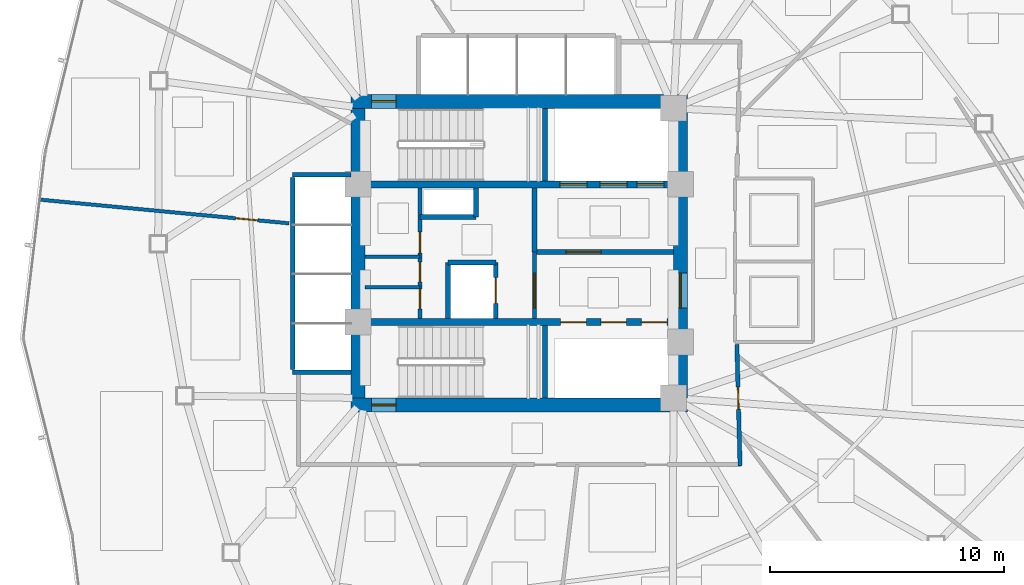
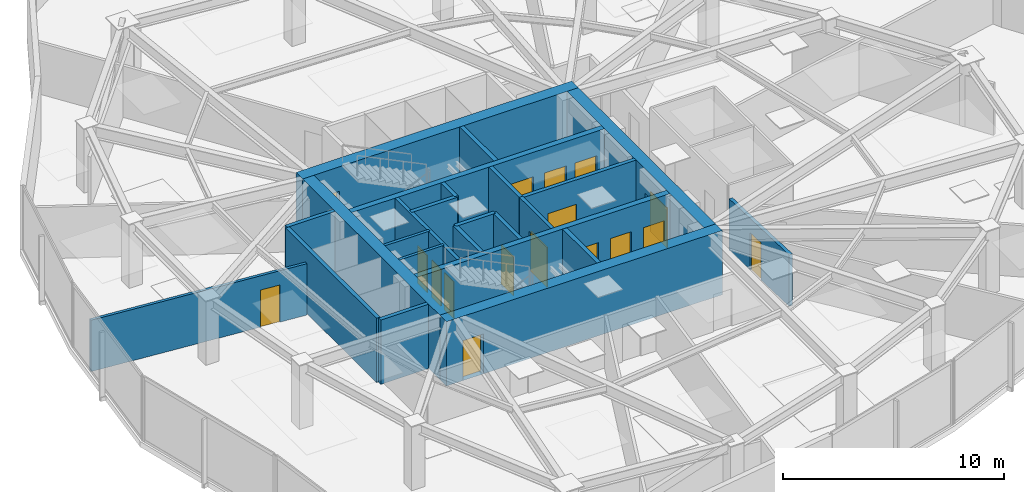
# One storey, part 11 of 17: 24 walls, 17 doors, 17 openings.
"""IFC4 building model written with IfcOpenShell, lengths in metres."""

from ifc_helpers import new_model, si_unit, direction, frame, frame_2d, origin, place, context, subcontext, project, spatial, rectangle, extrude, material, layer, layer_set, type_object, element, fill, save


model = new_model("IFC4")

# Units and contexts
model_context = context("Model", 3, precision=1e-05, world=origin(), true_north=direction((0.0, 1.0)))
body_context = subcontext(model_context, "Body", "Model", "MODEL_VIEW")
ifc_project = project(units=[si_unit("LENGTHUNIT", "METRE"), si_unit("AREAUNIT", "SQUARE_METRE"), si_unit("VOLUMEUNIT", "CUBIC_METRE"), si_unit("PLANEANGLEUNIT", "RADIAN"), si_unit("MASSUNIT", "GRAM", prefix="KILO")], contexts=[model_context])

# Site, building, storey
site_placement = place(None, origin())
site = spatial("IfcSite", under=ifc_project, at=site_placement, CompositionType="ELEMENT")
building_placement = place(site_placement, origin())
building = spatial("IfcBuilding", under=site, at=building_placement, Name="Tavelor Broadcast Tower", CompositionType="ELEMENT")
storey_placement = place(building_placement, frame((0.0, 0.0, 115.60009765625)))
storey = spatial("IfcBuildingStorey", under=building, at=storey_placement, Name="L26", CompositionType="ELEMENT", Elevation=115.60009765625)

# Wall, opening, door
ifc_material_1 = material(Name="Concrete C60/75", Category="concrete")
ifc_layer_1 = layer(ifc_material_1, 0.60009765625)
ifc_layer_set_1 = layer_set([ifc_layer_1], Name="Concrete C60/75")
wall_type_1 = type_object("IfcWallType", Name="Core Shear Wall 600 mm", PredefinedType="SHEAR", material=ifc_layer_set_1)
wall_1_placement = place(storey_placement, frame((42.800048828125, 51.5, 0.0), z_axis=(0.0, 0.0, 1.0), x_axis=(1.0, 0.0, 0.0)))
wall_1 = element("IfcWall", 1, at=wall_1_placement, inside=storey, type_object=wall_type_1, Name="L26 Central Core Shear Wall N", PredefinedType="SHEAR", context=body_context, shape_type="SweptSolid", body=[
    extrude(rectangle(XDim=14.39990234375, YDim=0.60009765625, at=frame_2d((7.199951171875, 0.0))), origin(), (0.0, 0.0, 1.0), 3.5498046875),
])
opening_1_placement = place(wall_1_placement, frame((0.8798828125, 0.0, 0.0)))
opening_1 = element("IfcOpeningElement", 2, at=opening_1_placement, cuts=wall_1, Name="Opening DR11", PredefinedType="OPENING", context=body_context, shape_type="SweptSolid", body=[
    extrude(rectangle(XDim=1.050048828125, YDim=2.199951171875, at=frame_2d((0.52490234375, 1.10009765625))), frame((0.0, 0.31005859375, 0.0), z_axis=(0.0, -1.0, 0.0), x_axis=(1.0, 0.0, 0.0)), (0.0, 0.0, 1.0), 0.6201171875),
])
ifc_material_2 = material(Name="Steel S355", Category="steel")
door_type_1 = type_object("IfcDoorType", Name="Stair Core Fire Escape Door 1050x2200", OperationType="NOTDEFINED", PredefinedType="DOOR", material=ifc_material_2)
door_1_placement = place(opening_1_placement, origin())
door_1 = element("IfcDoor", 3, at=door_1_placement, inside=storey, type_object=door_type_1, Name="L26 Stair ST1 Protected Exit Door", OperationType="SINGLE_SWING_LEFT", OverallHeight=2.199951171875, OverallWidth=1.050048828125, PredefinedType="DOOR", context=body_context, shape_type="SweptSolid", body=[
    extrude(rectangle(XDim=1.050048828125, YDim=2.199951171875, at=frame_2d((0.52490234375, 1.10009765625))), frame((0.0, 0.02490234375, 0.0), z_axis=(0.0, -1.0, 0.0), x_axis=(1.0, 0.0, 0.0)), (0.0, 0.0, 1.0), 0.050048828125),
])
fill(opening_1, door_1)

wall_2_placement = place(storey_placement, frame((42.800048828125, 38.5, 0.0), z_axis=(0.0, 0.0, 1.0), x_axis=(1.0, 0.0, 0.0)))
wall_2 = element("IfcWall", 4, at=wall_2_placement, inside=storey, type_object=wall_type_1, Name="L26 Central Core Shear Wall S", PredefinedType="SHEAR", context=body_context, shape_type="SweptSolid", body=[
    extrude(rectangle(XDim=14.39990234375, YDim=0.60009765625, at=frame_2d((7.199951171875, 0.0))), origin(), (0.0, 0.0, 1.0), 3.5498046875),
])
opening_2_placement = place(wall_2_placement, frame((0.8798828125, 0.0, 0.0)))
opening_2 = element("IfcOpeningElement", 5, at=opening_2_placement, cuts=wall_2, Name="Opening DR11", PredefinedType="OPENING", context=body_context, shape_type="SweptSolid", body=[
    extrude(rectangle(XDim=1.050048828125, YDim=2.199951171875, at=frame_2d((0.52490234375, 1.10009765625))), frame((0.0, 0.31005859375, 0.0), z_axis=(0.0, -1.0, 0.0), x_axis=(1.0, 0.0, 0.0)), (0.0, 0.0, 1.0), 0.6201171875),
])
door_2_placement = place(opening_2_placement, origin())
door_2 = element("IfcDoor", 6, at=door_2_placement, inside=storey, type_object=door_type_1, Name="L26 Stair ST2 Protected Exit Door", OperationType="SINGLE_SWING_RIGHT", OverallHeight=2.199951171875, OverallWidth=1.050048828125, PredefinedType="DOOR", context=body_context, shape_type="SweptSolid", body=[
    extrude(rectangle(XDim=1.050048828125, YDim=2.199951171875, at=frame_2d((0.52490234375, 1.10009765625))), frame((0.0, 0.02490234375, 0.0), z_axis=(0.0, -1.0, 0.0), x_axis=(1.0, 0.0, 0.0)), (0.0, 0.0, 1.0), 0.050048828125),
])
fill(opening_2, door_2)

# Wall
wall_3_placement = place(storey_placement, frame((43.10009765625, 38.800048828125, 0.0), z_axis=(0.0, 0.0, 1.0), x_axis=(0.0, 1.0, 0.0)))
element("IfcWall", 7, at=wall_3_placement, inside=storey, type_object=wall_type_1, Name="L26 Central Core Shear Wall W", PredefinedType="SHEAR", context=body_context, shape_type="SweptSolid", body=[
    extrude(rectangle(XDim=12.39990234375, YDim=0.60009765625, at=frame_2d((6.199951171875, 0.0))), origin(), (0.0, 0.0, 1.0), 3.5498046875),
])

# Wall, opening, door
wall_4_placement = place(storey_placement, frame((56.89990234375, 38.800048828125, 0.0), z_axis=(0.0, 0.0, 1.0), x_axis=(0.0, 1.0, 0.0)))
wall_4 = element("IfcWall", 8, at=wall_4_placement, inside=storey, type_object=wall_type_1, Name="L26 Central Core Shear Wall E", PredefinedType="SHEAR", context=body_context, shape_type="SweptSolid", body=[
    extrude(rectangle(XDim=12.39990234375, YDim=0.60009765625, at=frame_2d((6.199951171875, 0.0))), origin(), (0.0, 0.0, 1.0), 3.5498046875),
])
opening_3_placement = place(wall_4_placement, frame((3.85009765625, 0.0, 0.0)))
opening_3 = element("IfcOpeningElement", 9, at=opening_3_placement, cuts=wall_4, Name="Opening DR14", PredefinedType="OPENING", context=body_context, shape_type="SweptSolid", body=[
    extrude(rectangle(XDim=1.5, YDim=2.199951171875, at=frame_2d((0.75, 1.10009765625))), frame((0.0, 0.31005859375, 0.0), z_axis=(0.0, -1.0, 0.0), x_axis=(1.0, 0.0, 0.0)), (0.0, 0.0, 1.0), 0.6201171875),
])
door_type_2 = type_object("IfcDoorType", Name="Firefighting Lobby Double Fire Door 1500x2200", OperationType="NOTDEFINED", PredefinedType="DOOR", material=ifc_material_2)
door_3_placement = place(opening_3_placement, origin())
door_3 = element("IfcDoor", 10, at=door_3_placement, inside=storey, type_object=door_type_2, Name="L26 Central Core Lobby Fire Door", OperationType="SINGLE_SWING_RIGHT", OverallHeight=2.199951171875, OverallWidth=1.5, PredefinedType="DOOR", context=body_context, shape_type="SweptSolid", body=[
    extrude(rectangle(XDim=1.5, YDim=2.199951171875, at=frame_2d((0.75, 1.10009765625))), frame((0.0, 0.02490234375, 0.0), z_axis=(0.0, -1.0, 0.0), x_axis=(1.0, 0.0, 0.0)), (0.0, 0.0, 1.0), 0.050048828125),
])
fill(opening_3, door_3)

# Wall, openings, doors
ifc_layer_2 = layer(ifc_material_1, 0.300048828125)
ifc_layer_set_2 = layer_set([ifc_layer_2], Name="Concrete C60/75")
wall_type_2 = type_object("IfcWallType", Name="Core Spine Shear Wall 300 mm C60", PredefinedType="SHEAR", material=ifc_layer_set_2)
wall_5_placement = place(storey_placement, frame((43.39990234375, 47.949951171875, 0.0), z_axis=(0.0, 0.0, 1.0), x_axis=(1.0, 0.0, 0.0)))
wall_5 = element("IfcWall", 11, at=wall_5_placement, inside=storey, type_object=wall_type_2, Name="L26 Central Core Shear Wall SP1", PredefinedType="SHEAR", context=body_context, shape_type="SweptSolid", body=[
    extrude(rectangle(XDim=13.2001953125, YDim=0.300048828125, at=frame_2d((6.60009765625, 0.0))), origin(), (0.0, 0.0, 1.0), 3.5498046875),
])
opening_4_placement = place(wall_5_placement, frame((8.344970703125, 0.0, 0.0)))
opening_4 = element("IfcOpeningElement", 12, at=opening_4_placement, cuts=wall_5, Name="Opening LD02", PredefinedType="OPENING", context=body_context, shape_type="SweptSolid", body=[
    extrude(rectangle(XDim=1.14990234375, YDim=2.199951171875, at=frame_2d((0.574951171875, 1.10009765625))), frame((0.0, 0.16015625, 0.0), z_axis=(0.0, -1.0, 0.0), x_axis=(1.0, 0.0, 0.0)), (0.0, 0.0, 1.0), 0.320068359375),
])
opening_5_placement = place(wall_5_placement, frame((10.06494140625, 0.0, 0.0)))
opening_5 = element("IfcOpeningElement", 13, at=opening_5_placement, cuts=wall_5, Name="Opening LD02", PredefinedType="OPENING", context=body_context, shape_type="SweptSolid", body=[
    extrude(rectangle(XDim=1.14990234375, YDim=2.199951171875, at=frame_2d((0.574951171875, 1.10009765625))), frame((0.0, 0.16015625, 0.0), z_axis=(0.0, -1.0, 0.0), x_axis=(1.0, 0.0, 0.0)), (0.0, 0.0, 1.0), 0.320068359375),
])
opening_6_placement = place(wall_5_placement, frame((11.64501953125, 0.0, 0.0)))
opening_6 = element("IfcOpeningElement", 14, at=opening_6_placement, cuts=wall_5, Name="Opening LD03", PredefinedType="OPENING", context=body_context, shape_type="SweptSolid", body=[
    extrude(rectangle(XDim=1.14990234375, YDim=2.199951171875, at=frame_2d((0.574951171875, 1.10009765625))), frame((0.0, 0.16015625, 0.0), z_axis=(0.0, -1.0, 0.0), x_axis=(1.0, 0.0, 0.0)), (0.0, 0.0, 1.0), 0.320068359375),
])
ifc_material_3 = material(Name="Reinforced Brushed Stainless Steel", Category="concrete")
door_type_3 = type_object("IfcDoorType", Name="Broadcast Goods Lift Sliding Landing Door 1250x2200", OperationType="NOTDEFINED", PredefinedType="DOOR", material=ifc_material_3)
door_4_placement = place(opening_6_placement, origin())
door_4 = element("IfcDoor", 15, at=door_4_placement, inside=storey, type_object=door_type_3, Name="L26 Lift SVL1 Sliding Landing Door", OperationType="SLIDING_TO_LEFT", OverallHeight=2.199951171875, OverallWidth=1.14990234375, PredefinedType="DOOR", context=body_context, shape_type="SweptSolid", body=[
    extrude(rectangle(XDim=1.14990234375, YDim=2.199951171875, at=frame_2d((0.574951171875, 1.10009765625))), frame((0.0, 0.02490234375, 0.0), z_axis=(0.0, -1.0, 0.0), x_axis=(1.0, 0.0, 0.0)), (0.0, 0.0, 1.0), 0.050048828125),
])
fill(opening_6, door_4)
ifc_material_4 = material(Name="Fire-Rated Stainless Steel", Category="steel")
door_type_4 = type_object("IfcDoorType", Name="Firefighting Lift Sliding Landing Door 1200x2200", OperationType="NOTDEFINED", PredefinedType="DOOR", material=ifc_material_4)
door_5_placement = place(opening_4_placement, origin())
door_5 = element("IfcDoor", 16, at=door_5_placement, inside=storey, type_object=door_type_4, Name="L26 Lift FFL1 Sliding Landing Door", OperationType="SLIDING_TO_LEFT", OverallHeight=2.199951171875, OverallWidth=1.14990234375, PredefinedType="DOOR", context=body_context, shape_type="SweptSolid", body=[
    extrude(rectangle(XDim=1.14990234375, YDim=2.199951171875, at=frame_2d((0.574951171875, 1.10009765625))), frame((0.0, 0.02490234375, 0.0), z_axis=(0.0, -1.0, 0.0), x_axis=(1.0, 0.0, 0.0)), (0.0, 0.0, 1.0), 0.050048828125),
])
fill(opening_4, door_5)
door_6_placement = place(opening_5_placement, origin())
door_6 = element("IfcDoor", 17, at=door_6_placement, inside=storey, type_object=door_type_4, Name="L26 Lift FFL2 Sliding Landing Door", OperationType="SLIDING_TO_LEFT", OverallHeight=2.199951171875, OverallWidth=1.14990234375, PredefinedType="DOOR", context=body_context, shape_type="SweptSolid", body=[
    extrude(rectangle(XDim=1.14990234375, YDim=2.199951171875, at=frame_2d((0.574951171875, 1.10009765625))), frame((0.0, 0.02490234375, 0.0), z_axis=(0.0, -1.0, 0.0), x_axis=(1.0, 0.0, 0.0)), (0.0, 0.0, 1.0), 0.050048828125),
])
fill(opening_5, door_6)

wall_6_placement = place(storey_placement, frame((43.39990234375, 42.050048828125, 0.0), z_axis=(0.0, 0.0, 1.0), x_axis=(1.0, 0.0, 0.0)))
wall_6 = element("IfcWall", 18, at=wall_6_placement, inside=storey, type_object=wall_type_2, Name="L26 Central Core Shear Wall SP2", PredefinedType="SHEAR", context=body_context, shape_type="SweptSolid", body=[
    extrude(rectangle(XDim=13.2001953125, YDim=0.300048828125, at=frame_2d((6.60009765625, 0.0))), origin(), (0.0, 0.0, 1.0), 3.5498046875),
])
opening_7_placement = place(wall_6_placement, frame((8.3701171875, 0.0, 0.0)))
opening_7 = element("IfcOpeningElement", 19, at=opening_7_placement, cuts=wall_6, Name="Opening LD01", PredefinedType="OPENING", context=body_context, shape_type="SweptSolid", body=[
    extrude(rectangle(XDim=1.10009765625, YDim=2.14990234375, at=frame_2d((0.550048828125, 1.074951171875))), frame((0.0, 0.16015625, 0.0), z_axis=(0.0, -1.0, 0.0), x_axis=(1.0, 0.0, 0.0)), (0.0, 0.0, 1.0), 0.320068359375),
])
opening_8_placement = place(wall_6_placement, frame((10.090087890625, 0.0, 0.0)))
opening_8 = element("IfcOpeningElement", 20, at=opening_8_placement, cuts=wall_6, Name="Opening LD01", PredefinedType="OPENING", context=body_context, shape_type="SweptSolid", body=[
    extrude(rectangle(XDim=1.10009765625, YDim=2.14990234375, at=frame_2d((0.550048828125, 1.074951171875))), frame((0.0, 0.16015625, 0.0), z_axis=(0.0, -1.0, 0.0), x_axis=(1.0, 0.0, 0.0)), (0.0, 0.0, 1.0), 0.320068359375),
])
opening_9_placement = place(wall_6_placement, frame((11.830078125, 0.0, 0.0)))
opening_9 = element("IfcOpeningElement", 21, at=opening_9_placement, cuts=wall_6, Name="Opening LD01", PredefinedType="OPENING", context=body_context, shape_type="SweptSolid", body=[
    extrude(rectangle(XDim=1.10009765625, YDim=2.14990234375, at=frame_2d((0.550048828125, 1.074951171875))), frame((0.0, 0.16015625, 0.0), z_axis=(0.0, -1.0, 0.0), x_axis=(1.0, 0.0, 0.0)), (0.0, 0.0, 1.0), 0.320068359375),
])
ifc_material_5 = material(Name="Brushed Stainless Steel", Category="steel")
door_type_5 = type_object("IfcDoorType", Name="Passenger Lift Sliding Landing Door 1100x2150", OperationType="NOTDEFINED", PredefinedType="DOOR", material=ifc_material_5)
door_7_placement = place(opening_7_placement, origin())
door_7 = element("IfcDoor", 22, at=door_7_placement, inside=storey, type_object=door_type_5, Name="L26 Lift PLM1 Sliding Landing Door", OperationType="SLIDING_TO_LEFT", OverallHeight=2.14990234375, OverallWidth=1.10009765625, PredefinedType="DOOR", context=body_context, shape_type="SweptSolid", body=[
    extrude(rectangle(XDim=1.10009765625, YDim=2.14990234375, at=frame_2d((0.550048828125, 1.074951171875))), frame((0.0, 0.02490234375, 0.0), z_axis=(0.0, -1.0, 0.0), x_axis=(1.0, 0.0, 0.0)), (0.0, 0.0, 1.0), 0.050048828125),
])
fill(opening_7, door_7)
door_8_placement = place(opening_8_placement, origin())
door_8 = element("IfcDoor", 23, at=door_8_placement, inside=storey, type_object=door_type_5, Name="L26 Lift PLM2 Sliding Landing Door", OperationType="SLIDING_TO_LEFT", OverallHeight=2.14990234375, OverallWidth=1.10009765625, PredefinedType="DOOR", context=body_context, shape_type="SweptSolid", body=[
    extrude(rectangle(XDim=1.10009765625, YDim=2.14990234375, at=frame_2d((0.550048828125, 1.074951171875))), frame((0.0, 0.02490234375, 0.0), z_axis=(0.0, -1.0, 0.0), x_axis=(1.0, 0.0, 0.0)), (0.0, 0.0, 1.0), 0.050048828125),
])
fill(opening_8, door_8)
door_9_placement = place(opening_9_placement, origin())
door_9 = element("IfcDoor", 24, at=door_9_placement, inside=storey, type_object=door_type_5, Name="L26 Lift PLM3 Sliding Landing Door", OperationType="SLIDING_TO_LEFT", OverallHeight=2.14990234375, OverallWidth=1.10009765625, PredefinedType="DOOR", context=body_context, shape_type="SweptSolid", body=[
    extrude(rectangle(XDim=1.10009765625, YDim=2.14990234375, at=frame_2d((0.550048828125, 1.074951171875))), frame((0.0, 0.02490234375, 0.0), z_axis=(0.0, -1.0, 0.0), x_axis=(1.0, 0.0, 0.0)), (0.0, 0.0, 1.0), 0.050048828125),
])
fill(opening_9, door_9)

# Wall, opening, door
ifc_material_6 = material(Name="Calcium Silicate Fire Board 180 mm", Category="gypsum")
ifc_layer_3 = layer(ifc_material_6, 0.179931640625)
ifc_layer_set_3 = layer_set([ifc_layer_3], Name="Calcium Silicate Fire Board 180 mm")
wall_type_3 = type_object("IfcWallType", Name="Fire-Rated Corridor Partition Wall 180 mm", PredefinedType="PARTITIONING", material=ifc_layer_set_3)
wall_7_placement = place(storey_placement, frame((50.64990234375, 42.199951171875, 0.0), z_axis=(0.0, 0.0, 1.0), x_axis=(0.0, 1.0, 0.0)))
wall_7 = element("IfcWall", 25, at=wall_7_placement, inside=storey, type_object=wall_type_3, Name="L26 Core Lobby Zoning Wall", PredefinedType="PARTITIONING", context=body_context, shape_type="SweptSolid", body=[
    extrude(rectangle(XDim=2.85009765625, YDim=0.179931640625, at=frame_2d((1.425048828125, 0.0))), origin(), (0.0, 0.0, 1.0), 3.5498046875),
])
opening_10_placement = place(wall_7_placement, frame((0.449951171875, 0.0, 0.0)))
opening_10 = element("IfcOpeningElement", 26, at=opening_10_placement, cuts=wall_7, Name="Opening DR14", PredefinedType="OPENING", context=body_context, shape_type="SweptSolid", body=[
    extrude(rectangle(XDim=1.5, YDim=2.199951171875, at=frame_2d((0.75, 1.10009765625))), frame((0.0, 0.10009765625, 0.0), z_axis=(0.0, -1.0, 0.0), x_axis=(1.0, 0.0, 0.0)), (0.0, 0.0, 1.0), 0.199951171875),
])
door_10_placement = place(opening_10_placement, origin())
door_10 = element("IfcDoor", 27, at=door_10_placement, inside=storey, type_object=door_type_2, Name="L26 Core West Lobby Double Fire Door", OperationType="SINGLE_SWING_RIGHT", OverallHeight=2.199951171875, OverallWidth=1.5, PredefinedType="DOOR", context=body_context, shape_type="SweptSolid", body=[
    extrude(rectangle(XDim=1.5, YDim=2.199951171875, at=frame_2d((0.75, 1.10009765625))), frame((0.0, 0.02490234375, 0.0), z_axis=(0.0, -1.0, 0.0), x_axis=(1.0, 0.0, 0.0)), (0.0, 0.0, 1.0), 0.050048828125),
])
fill(opening_10, door_10)

# Wall, openings, doors
wall_8_placement = place(storey_placement, frame((45.75, 42.199951171875, 0.0), z_axis=(0.0, 0.0, 1.0), x_axis=(0.0, 1.0, 0.0)))
wall_8 = element("IfcWall", 28, at=wall_8_placement, inside=storey, type_object=wall_type_3, Name="L26 Core West Service East Wall", PredefinedType="PARTITIONING", context=body_context, shape_type="SweptSolid", body=[
    extrude(rectangle(XDim=5.60009765625, YDim=0.179931640625, at=frame_2d((2.800048828125, 0.0))), origin(), (0.0, 0.0, 1.0), 3.5498046875),
])
opening_11_placement = place(wall_8_placement, frame((0.419921875, 0.0, 0.0)))
opening_11 = element("IfcOpeningElement", 29, at=opening_11_placement, cuts=wall_8, Name="Opening DR36", PredefinedType="OPENING", context=body_context, shape_type="SweptSolid", body=[
    extrude(rectangle(XDim=0.85009765625, YDim=2.050048828125, at=frame_2d((0.425048828125, 1.02490234375))), frame((0.0, 0.10009765625, 0.0), z_axis=(0.0, -1.0, 0.0), x_axis=(1.0, 0.0, 0.0)), (0.0, 0.0, 1.0), 0.199951171875),
])
opening_12_placement = place(wall_8_placement, frame((1.570068359375, 0.0, 0.0)))
opening_12 = element("IfcOpeningElement", 30, at=opening_12_placement, cuts=wall_8, Name="Opening DR36", PredefinedType="OPENING", context=body_context, shape_type="SweptSolid", body=[
    extrude(rectangle(XDim=0.85009765625, YDim=2.050048828125, at=frame_2d((0.425048828125, 1.02490234375))), frame((0.0, 0.10009765625, 0.0), z_axis=(0.0, -1.0, 0.0), x_axis=(1.0, 0.0, 0.0)), (0.0, 0.0, 1.0), 0.199951171875),
])
opening_13_placement = place(wall_8_placement, frame((2.800048828125, 0.0, 0.0)))
opening_13 = element("IfcOpeningElement", 31, at=opening_13_placement, cuts=wall_8, Name="Opening DR32", PredefinedType="OPENING", context=body_context, shape_type="SweptSolid", body=[
    extrude(rectangle(XDim=0.89990234375, YDim=2.050048828125, at=frame_2d((0.449951171875, 1.02490234375))), frame((0.0, 0.10009765625, 0.0), z_axis=(0.0, -1.0, 0.0), x_axis=(1.0, 0.0, 0.0)), (0.0, 0.0, 1.0), 0.199951171875),
])
ifc_material_7 = material(Name="Timber Solid Core Hardwood", Category="wood")
door_type_6 = type_object("IfcDoorType", Name="Accessible Washroom Door 900x2050", OperationType="NOTDEFINED", PredefinedType="DOOR", material=ifc_material_7)
door_11_placement = place(opening_13_placement, origin())
door_11 = element("IfcDoor", 32, at=door_11_placement, inside=storey, type_object=door_type_6, Name="L26 Core Accessible WC Door", OperationType="SINGLE_SWING_LEFT", OverallHeight=2.050048828125, OverallWidth=0.89990234375, PredefinedType="DOOR", context=body_context, shape_type="SweptSolid", body=[
    extrude(rectangle(XDim=0.89990234375, YDim=2.050048828125, at=frame_2d((0.449951171875, 1.02490234375))), frame((0.0, 0.02490234375, 0.0), z_axis=(0.0, -1.0, 0.0), x_axis=(1.0, 0.0, 0.0)), (0.0, 0.0, 1.0), 0.050048828125),
])
fill(opening_13, door_11)
door_type_7 = type_object("IfcDoorType", Name="Service Room Fire Door 850x2050", OperationType="NOTDEFINED", PredefinedType="DOOR", material=ifc_material_2)
door_12_placement = place(opening_11_placement, origin())
door_12 = element("IfcDoor", 33, at=door_12_placement, inside=storey, type_object=door_type_7, Name="L26 Core Medical Room Door", OperationType="SINGLE_SWING_LEFT", OverallHeight=2.050048828125, OverallWidth=0.85009765625, PredefinedType="DOOR", context=body_context, shape_type="SweptSolid", body=[
    extrude(rectangle(XDim=0.85009765625, YDim=2.050048828125, at=frame_2d((0.425048828125, 1.02490234375))), frame((0.0, 0.02490234375, 0.0), z_axis=(0.0, -1.0, 0.0), x_axis=(1.0, 0.0, 0.0)), (0.0, 0.0, 1.0), 0.050048828125),
])
fill(opening_11, door_12)
door_13_placement = place(opening_12_placement, origin())
door_13 = element("IfcDoor", 34, at=door_13_placement, inside=storey, type_object=door_type_7, Name="L26 Core Copy Room Door", OperationType="SINGLE_SWING_RIGHT", OverallHeight=2.050048828125, OverallWidth=0.85009765625, PredefinedType="DOOR", context=body_context, shape_type="SweptSolid", body=[
    extrude(rectangle(XDim=0.85009765625, YDim=2.050048828125, at=frame_2d((0.425048828125, 1.02490234375))), frame((0.0, 0.02490234375, 0.0), z_axis=(0.0, -1.0, 0.0), x_axis=(1.0, 0.0, 0.0)), (0.0, 0.0, 1.0), 0.050048828125),
])
fill(opening_12, door_13)

# Wall, opening, door
wall_9_placement = place(storey_placement, frame((59.31640625, 41.10009765625, 0.0), z_axis=(0.0, 0.0, 1.0), x_axis=(0.025953695765, -0.999663146103, 0.0)))
wall_9 = element("IfcWall", 35, at=wall_9_placement, inside=storey, type_object=wall_type_3, Name="L26 Corridor Compartment Wall 03", PredefinedType="PARTITIONING", context=body_context, shape_type="SweptSolid", body=[
    extrude(rectangle(XDim=5.201904296875, YDim=0.179931640625, at=frame_2d((2.60107421875, 0.0))), origin(), (0.0, 0.0, 1.0), 2.8349609375),
])
opening_14_placement = place(wall_9_placement, frame((1.830810546875, 0.0, 0.0)))
opening_14 = element("IfcOpeningElement", 36, at=opening_14_placement, cuts=wall_9, Name="Opening DR18", PredefinedType="OPENING", context=body_context, shape_type="SweptSolid", body=[
    extrude(rectangle(XDim=0.949951171875, YDim=2.050048828125, at=frame_2d((0.47509765625, 1.02490234375))), frame((0.0, 0.10009765625, 0.0), z_axis=(0.0, -1.0, 0.0), x_axis=(1.0, 0.0, 0.0)), (0.0, 0.0, 1.0), 0.199951171875),
])
door_type_8 = type_object("IfcDoorType", Name="Corridor Rated Compartment Door 950x2050", OperationType="NOTDEFINED", PredefinedType="DOOR", material=ifc_material_7)
door_14_placement = place(opening_14_placement, origin())
door_14 = element("IfcDoor", 37, at=door_14_placement, inside=storey, type_object=door_type_8, Name="L26 Sound Foley Studio Door R2", OperationType="SINGLE_SWING_RIGHT", OverallHeight=2.050048828125, OverallWidth=0.949951171875, PredefinedType="DOOR", context=body_context, shape_type="SweptSolid", body=[
    extrude(rectangle(XDim=0.949951171875, YDim=2.050048828125, at=frame_2d((0.47509765625, 1.02490234375))), frame((0.0, 0.02490234375, 0.0), z_axis=(0.0, -1.0, 0.0), x_axis=(1.0, 0.0, 0.0)), (0.0, 0.0, 1.0), 0.050048828125),
])
fill(opening_14, door_14)

# Walls
ifc_material_8 = material(Name="Gypsum Acoustic Plasterboard 150 mm", Category="gypsum")
ifc_layer_4 = layer(ifc_material_8, 0.14990234375)
ifc_layer_set_4 = layer_set([ifc_layer_4], Name="Gypsum Acoustic Plasterboard 150 mm")
wall_type_4 = type_object("IfcWallType", Name="Interior Acoustic Partition Wall 150 mm", PredefinedType="PARTITIONING", material=ifc_layer_set_4)
for number, where, z_axis, x_axis, name in (
    (38, (43.39990234375, 43.550048828125, 0.0), (0.0, 0.0, 1.0), (1.0, 0.0, 0.0), "L26 Core Split Wall B1"),
    (39, (43.39990234375, 44.85009765625, 0.0), (0.0, 0.0, 1.0), (1.0, 0.0, 0.0), "L26 Core Split Wall B2"),
):
    element("IfcWall", number, at=place(storey_placement, frame(where, z_axis=z_axis, x_axis=x_axis)), inside=storey, type_object=wall_type_4, Name=name, PredefinedType="PARTITIONING", context=body_context, shape_type="SweptSolid", body=[
        extrude(rectangle(XDim=2.35009765625, YDim=0.14990234375, at=frame_2d((1.175048828125, 0.0))), origin(), (0.0, 0.0, 1.0), 3.5498046875),
    ])

# Wall, opening, door
wall_10_placement = place(storey_placement, frame((40.14990234375, 46.277587890625, 0.0), z_axis=(0.0, 0.0, 1.0), x_axis=(-0.995517526957, 0.09457723575, 0.0)))
wall_10 = element("IfcWall", 40, at=wall_10_placement, inside=storey, type_object=wall_type_4, Name="L26 Radial Compartment Wall 09", PredefinedType="PARTITIONING", context=body_context, shape_type="SweptSolid", body=[
    extrude(rectangle(XDim=10.7333984375, YDim=0.14990234375, at=frame_2d((5.36669921875, 0.0))), origin(), (0.0, 0.0, 1.0), 2.8349609375),
])
opening_15_placement = place(wall_10_placement, frame((1.35009765625, 0.0, 0.0)))
opening_15 = element("IfcOpeningElement", 41, at=opening_15_placement, cuts=wall_10, Name="Opening DR18", PredefinedType="OPENING", context=body_context, shape_type="SweptSolid", body=[
    extrude(rectangle(XDim=0.949951171875, YDim=2.050048828125, at=frame_2d((0.47509765625, 1.02490234375))), frame((0.0, 0.0849609375, 0.0), z_axis=(0.0, -1.0, 0.0), x_axis=(1.0, 0.0, 0.0)), (0.0, 0.0, 1.0), 0.169921875),
])
door_15_placement = place(opening_15_placement, origin())
door_15 = element("IfcDoor", 42, at=door_15_placement, inside=storey, type_object=door_type_8, Name="L26 Suite Connecting Door 6", OperationType="SINGLE_SWING_RIGHT", OverallHeight=2.050048828125, OverallWidth=0.949951171875, PredefinedType="DOOR", context=body_context, shape_type="SweptSolid", body=[
    extrude(rectangle(XDim=0.949951171875, YDim=2.050048828125, at=frame_2d((0.47509765625, 1.02490234375))), frame((0.0, 0.02490234375, 0.0), z_axis=(0.0, -1.0, 0.0), x_axis=(1.0, 0.0, 0.0)), (0.0, 0.0, 1.0), 0.050048828125),
])
fill(opening_15, door_15)

# Wall
ifc_material_9 = material(Name="Concrete Blockwork 200 mm", Category="masonry")
ifc_layer_5 = layer(ifc_material_9, 0.199951171875)
ifc_layer_set_5 = layer_set([ifc_layer_5], Name="Concrete Blockwork 200 mm")
wall_type_5 = type_object("IfcWallType", Name="Lift Hoistway Rated Front Wall 200 mm", PredefinedType="PARTITIONING", material=ifc_layer_set_5)
wall_11_placement = place(storey_placement, frame((40.300048828125, 40.02001953125, 0.0), z_axis=(0.0, 0.0, 1.0), x_axis=(0.0, 1.0, 0.0)))
element("IfcWall", 43, at=wall_11_placement, inside=storey, type_object=wall_type_5, Name="L26 Low-Rise Lift Hoistway Front Wall", PredefinedType="PARTITIONING", context=body_context, shape_type="SweptSolid", body=[
    extrude(rectangle(XDim=8.2099609375, YDim=0.199951171875, at=frame_2d((4.10498046875, 0.0))), origin(), (0.0, 0.0, 1.0), 3.5498046875),
])

# Wall, opening, door
wall_12_placement = place(storey_placement, frame((49.0, 42.199951171875, 0.0), z_axis=(0.0, 0.0, 1.0), x_axis=(0.0, 1.0, 0.0)))
wall_12 = element("IfcWall", 44, at=wall_12_placement, inside=storey, type_object=wall_type_5, Name="L26 Mid-Rise Lift PLM4 Hoistway Front Wall", PredefinedType="PARTITIONING", context=body_context, shape_type="SweptSolid", body=[
    extrude(rectangle(XDim=2.400146484375, YDim=0.199951171875, at=frame_2d((1.2001953125, 0.0))), origin(), (0.0, 0.0, 1.0), 3.5498046875),
])
opening_16_placement = place(wall_12_placement, frame((0.64990234375, 0.0, 0.0)))
opening_16 = element("IfcOpeningElement", 45, at=opening_16_placement, cuts=wall_12, Name="Opening LD01", PredefinedType="OPENING", context=body_context, shape_type="SweptSolid", body=[
    extrude(rectangle(XDim=1.10009765625, YDim=2.14990234375, at=frame_2d((0.550048828125, 1.074951171875))), frame((0.0, 0.10986328125, 0.0), z_axis=(0.0, -1.0, 0.0), x_axis=(1.0, 0.0, 0.0)), (0.0, 0.0, 1.0), 0.219970703125),
])
door_16_placement = place(opening_16_placement, origin())
door_16 = element("IfcDoor", 46, at=door_16_placement, inside=storey, type_object=door_type_5, Name="L26 Lift PLM4 Sliding Landing Door", OperationType="SLIDING_TO_RIGHT", OverallHeight=2.14990234375, OverallWidth=1.10009765625, PredefinedType="DOOR", context=body_context, shape_type="SweptSolid", body=[
    extrude(rectangle(XDim=1.10009765625, YDim=2.14990234375, at=frame_2d((0.550048828125, 1.074951171875))), frame((0.0, 0.02490234375, 0.0), z_axis=(0.0, -1.0, 0.0), x_axis=(1.0, 0.0, 0.0)), (0.0, 0.0, 1.0), 0.050048828125),
])
fill(opening_16, door_16)

# Walls
ifc_layer_6 = layer(ifc_material_9, 0.199951171875)
ifc_layer_set_6 = layer_set([ifc_layer_6], Name="Concrete Blockwork 200 mm")
wall_type_6 = type_object("IfcWallType", Name="Lift and Riser Shaft Enclosure Wall 200 mm", PredefinedType="PARTITIONING", material=ifc_layer_set_6)
for number, where, z_axis, x_axis, name in (
    (47, (40.300048828125, 39.89990234375, 0.0), (0.0, 0.0, 1.0), (1.0, 0.0, 0.0), "L26 Low-Rise Lift Shaft South Wall"),
    (48, (40.300048828125, 48.35009765625, 0.0), (0.0, 0.0, 1.0), (1.0, 0.0, 0.0), "L26 Low-Rise Lift Shaft North Wall"),
):
    element("IfcWall", number, at=place(storey_placement, frame(where, z_axis=z_axis, x_axis=x_axis)), inside=storey, type_object=wall_type_6, Name=name, PredefinedType="PARTITIONING", context=body_context, shape_type="SweptSolid", body=[
        extrude(rectangle(XDim=2.5, YDim=0.199951171875, at=frame_2d((1.25, 0.0))), origin(), (0.0, 0.0, 1.0), 3.5498046875),
    ])
wall_13_placement = place(storey_placement, frame((45.75, 46.550048828125, 0.0), z_axis=(0.0, 0.0, 1.0), x_axis=(1.0, 0.0, 0.0)))
element("IfcWall", 49, at=wall_13_placement, inside=storey, type_object=wall_type_6, Name="L26 Riser Shaft South Wall", PredefinedType="PARTITIONING", context=body_context, shape_type="SweptSolid", body=[
    extrude(rectangle(XDim=2.39990234375, YDim=0.199951171875, at=frame_2d((1.199951171875, 0.0))), origin(), (0.0, 0.0, 1.0), 3.5498046875),
])
wall_14_placement = place(storey_placement, frame((48.14990234375, 46.550048828125, 0.0), z_axis=(0.0, 0.0, 1.0), x_axis=(0.0, 1.0, 0.0)))
element("IfcWall", 50, at=wall_14_placement, inside=storey, type_object=wall_type_6, Name="L26 Riser Shaft East Wall", PredefinedType="PARTITIONING", context=body_context, shape_type="SweptSolid", body=[
    extrude(rectangle(XDim=1.25, YDim=0.199951171875, at=frame_2d((0.625, 0.0))), origin(), (0.0, 0.0, 1.0), 3.5498046875),
])
wall_15_placement = place(storey_placement, frame((46.949951171875, 42.199951171875, 0.0), z_axis=(0.0, 0.0, 1.0), x_axis=(0.0, 1.0, 0.0)))
element("IfcWall", 51, at=wall_15_placement, inside=storey, type_object=wall_type_6, Name="L26 Mid-Rise Lift PLM4 West Wall", PredefinedType="PARTITIONING", context=body_context, shape_type="SweptSolid", body=[
    extrude(rectangle(XDim=2.400146484375, YDim=0.199951171875, at=frame_2d((1.2001953125, 0.0))), origin(), (0.0, 0.0, 1.0), 3.5498046875),
])
wall_16_placement = place(storey_placement, frame((46.949951171875, 44.60009765625, 0.0), z_axis=(0.0, 0.0, 1.0), x_axis=(1.0, 0.0, 0.0)))
element("IfcWall", 52, at=wall_16_placement, inside=storey, type_object=wall_type_6, Name="L26 Mid-Rise Lift PLM4 North Wall", PredefinedType="PARTITIONING", context=body_context, shape_type="SweptSolid", body=[
    extrude(rectangle(XDim=2.050048828125, YDim=0.199951171875, at=frame_2d((1.02490234375, 0.0))), origin(), (0.0, 0.0, 1.0), 3.5498046875),
])

# Wall, opening, door
wall_17_placement = place(storey_placement, frame((50.64990234375, 45.050048828125, 0.0), z_axis=(0.0, 0.0, 1.0), x_axis=(1.0, 0.0, 0.0)))
wall_17 = element("IfcWall", 53, at=wall_17_placement, inside=storey, type_object=wall_type_6, Name="L26 Firefighting Lobby South Wall", PredefinedType="PARTITIONING", context=body_context, shape_type="SweptSolid", body=[
    extrude(rectangle(XDim=5.9501953125, YDim=0.199951171875, at=frame_2d((2.97509765625, 0.0))), origin(), (0.0, 0.0, 1.0), 3.5498046875),
])
opening_17_placement = place(wall_17_placement, frame((1.35009765625, 0.0, 0.0)))
opening_17 = element("IfcOpeningElement", 54, at=opening_17_placement, cuts=wall_17, Name="Opening DR14", PredefinedType="OPENING", context=body_context, shape_type="SweptSolid", body=[
    extrude(rectangle(XDim=1.5, YDim=2.199951171875, at=frame_2d((0.75, 1.10009765625))), frame((0.0, 0.10986328125, 0.0), z_axis=(0.0, -1.0, 0.0), x_axis=(1.0, 0.0, 0.0)), (0.0, 0.0, 1.0), 0.219970703125),
])
door_17_placement = place(opening_17_placement, origin())
door_17 = element("IfcDoor", 55, at=door_17_placement, inside=storey, type_object=door_type_2, Name="L26 Firefighting Lobby Compartment Door", OperationType="SINGLE_SWING_LEFT", OverallHeight=2.199951171875, OverallWidth=1.5, PredefinedType="DOOR", context=body_context, shape_type="SweptSolid", body=[
    extrude(rectangle(XDim=1.5, YDim=2.199951171875, at=frame_2d((0.75, 1.10009765625))), frame((0.0, 0.02490234375, 0.0), z_axis=(0.0, -1.0, 0.0), x_axis=(1.0, 0.0, 0.0)), (0.0, 0.0, 1.0), 0.050048828125),
])
fill(opening_17, door_17)

# Walls
wall_18_placement = place(storey_placement, frame((50.64990234375, 45.050048828125, 0.0), z_axis=(0.0, 0.0, 1.0), x_axis=(0.0, 1.0, 0.0)))
element("IfcWall", 56, at=wall_18_placement, inside=storey, type_object=wall_type_6, Name="L26 Firefighting Lobby West Wall", PredefinedType="PARTITIONING", context=body_context, shape_type="SweptSolid", body=[
    extrude(rectangle(XDim=2.75, YDim=0.199951171875, at=frame_2d((1.375, 0.0))), origin(), (0.0, 0.0, 1.0), 3.5498046875),
])
ifc_material_10 = material(Name="Concrete C40/50", Category="concrete")
ifc_layer_7 = layer(ifc_material_10, 0.219970703125)
ifc_layer_set_7 = layer_set([ifc_layer_7], Name="Concrete C40/50")
wall_type_7 = type_object("IfcWallType", Name="Structural Stairwell Shear Wall 220 mm", PredefinedType="SHEAR", material=ifc_layer_set_7)
for number, where, z_axis, x_axis, name in (
    (57, (51.110107421875, 48.10009765625, 0.0), (0.0, 0.0, 1.0), (0.0, 1.0, 0.0), "L26 Stair ST1 Structural Shaft Wall"),
    (58, (51.110107421875, 38.800048828125, 0.0), (0.0, 0.0, 1.0), (0.0, 1.0, 0.0), "L26 Stair ST2 Structural Shaft Wall"),
):
    element("IfcWall", number, at=place(storey_placement, frame(where, z_axis=z_axis, x_axis=x_axis)), inside=storey, type_object=wall_type_7, Name=name, PredefinedType="SHEAR", context=body_context, shape_type="SweptSolid", body=[
        extrude(rectangle(XDim=3.099853515625, YDim=0.219970703125, at=frame_2d((1.5498046875, 0.0))), origin(), (0.0, 0.0, 1.0), 3.5498046875),
    ])

save(model, "model.ifc")
